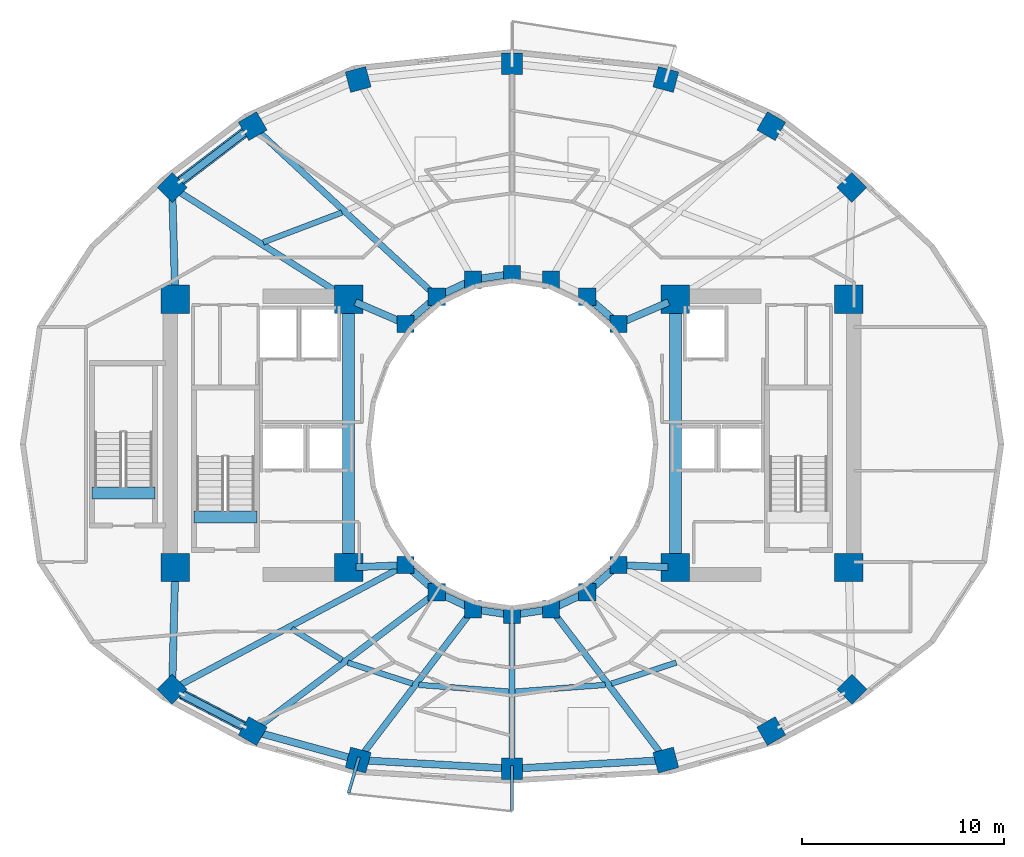
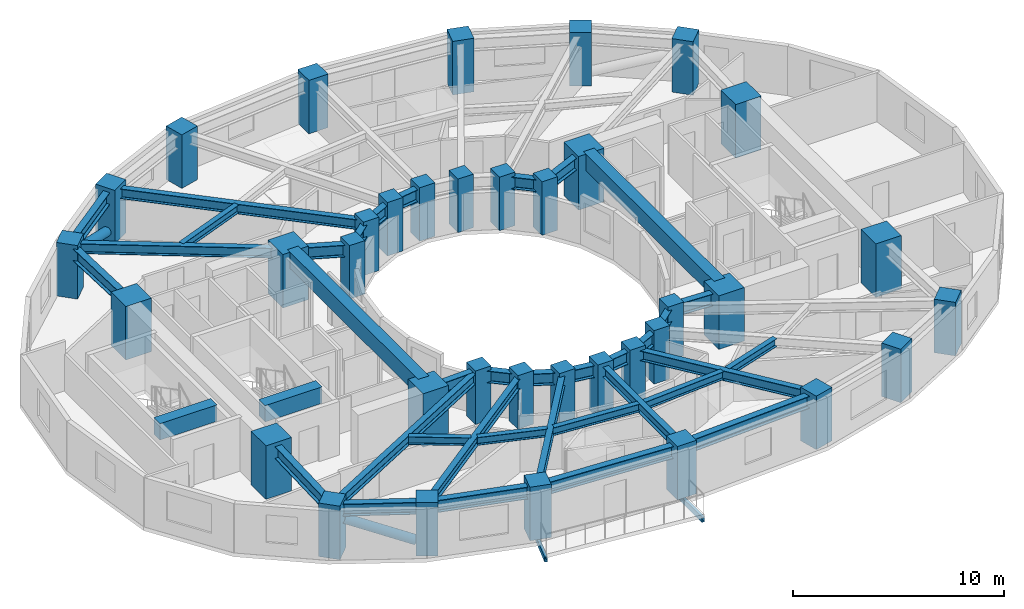
# One storey, part 1 of 9: 40 beams, 36 columns, 2 members.
"""IFC4 building model written with IfcOpenShell, lengths in metres."""

import ifcopenshell
import ifcopenshell.guid

model = None  # the IFC model being written
_history = None  # IfcOwnerHistory: only IFC2X3 demands one
_inside = {}  # id of a spatial element -> (the spatial element, [elements in it])
_under = {}  # id of a project, library or spatial element -> (it, [spatial elements below it])
_declared = {}  # id of a project -> (the project, [libraries it declares])
_typed = {}  # id of a type object -> (the type object, [elements of that type])
_made_of = {}  # id of a material, layer set ... -> (it, [elements and type objects made of it])


def new_model(schema):
    """Start an empty IFC model of exactly this schema.

    Asked for "IFC4X3", IfcOpenShell would pick the latest addendum, in which some entities
    have other attributes; the version numbers below select the first issue.
    IFC2X3 requires an IfcOwnerHistory on every rooted entity: one is made here for all.
    """
    global model, _history
    if schema == "IFC4X3":
        model = ifcopenshell.file(schema_version=(4, 3, 0, 0))
    else:
        model = ifcopenshell.file(schema=schema)
    _inside.clear()
    _under.clear()
    _declared.clear()
    _typed.clear()
    _made_of.clear()
    _history = None
    if model.schema == "IFC2X3":
        org = make("IfcOrganization", Name="unknown")
        user = make(
            "IfcPersonAndOrganization",
            ThePerson=make("IfcPerson", FamilyName="unknown"),
            TheOrganization=org,
        )
        app = make(
            "IfcApplication",
            ApplicationDeveloper=org,
            Version="unknown",
            ApplicationFullName="unknown",
            ApplicationIdentifier="unknown",
        )
        _history = make(
            "IfcOwnerHistory",
            OwningUser=user,
            OwningApplication=app,
            ChangeAction="ADDED",
            CreationDate=0,
        )
    return model


def make(cls, **values):
    """One entity of the class cls with the attributes given. An attribute that is None is left unset."""
    return model.create_entity(
        cls, **{name: value for name, value in values.items() if value is not None}
    )


def rooted(cls, **values):
    """An entity with a GlobalId (a new one), such as an element, a storey or a relation."""
    return make(cls, GlobalId=ifcopenshell.guid.new(), OwnerHistory=_history, **values)


def si_unit(unit_type, name, prefix=None):
    """IfcSIUnit, for example si_unit("LENGTHUNIT", "METRE", prefix="MILLI")."""
    return make("IfcSIUnit", UnitType=unit_type, Prefix=prefix, Name=name)


def assignment(units):
    """IfcUnitAssignment: the units of a project."""
    return None if units is None else make("IfcUnitAssignment", Units=units)


def point(xyz):
    """IfcCartesianPoint."""
    return None if xyz is None else make("IfcCartesianPoint", Coordinates=xyz)


def direction(xyz):
    """IfcDirection."""
    return None if xyz is None else make("IfcDirection", DirectionRatios=xyz)


def frame(location, z_axis=None, x_axis=None):
    """IfcAxis2Placement3D, a coordinate frame: its origin and axes. An axis left out is left unset."""
    return make(
        "IfcAxis2Placement3D",
        Location=point(location),
        Axis=direction(z_axis),
        RefDirection=direction(x_axis),
    )


def frame_2d(location, x_axis=None):
    """IfcAxis2Placement2D, a coordinate frame in the plane: its origin and x axis."""
    return make(
        "IfcAxis2Placement2D", Location=point(location), RefDirection=direction(x_axis)
    )


def origin():
    """The frame at (0, 0, 0) with its axes left unset."""
    return frame((0.0, 0.0, 0.0))


def origin_2d():
    """The frame at (0, 0) in the plane with its x axis left unset."""
    return frame_2d((0.0, 0.0))


def place(relative_to, where):
    """IfcLocalPlacement: puts the frame where relative to a parent placement (None: the world)."""
    return make(
        "IfcLocalPlacement", PlacementRelTo=relative_to, RelativePlacement=where
    )


def context(
    kind, dimensions, precision=None, world=None, true_north=None, identifier=None
):
    """IfcGeometricRepresentationContext, for example the 3D "Model" context."""
    return make(
        "IfcGeometricRepresentationContext",
        ContextIdentifier=identifier,
        ContextType=kind,
        CoordinateSpaceDimension=dimensions,
        Precision=precision,
        WorldCoordinateSystem=world,
        TrueNorth=true_north,
    )


def subcontext(parent, identifier, kind, view, scale=None):
    """IfcGeometricRepresentationSubContext, for example "Body" below "Model"."""
    return make(
        "IfcGeometricRepresentationSubContext",
        ContextIdentifier=identifier,
        ContextType=kind,
        ParentContext=parent,
        TargetScale=scale,
        TargetView=view,
    )


def project(units=None, contexts=None):
    """IfcProject with its units and contexts."""
    return rooted(
        "IfcProject",
        Name="project",
        RepresentationContexts=contexts,
        UnitsInContext=assignment(units),
    )


def spatial(cls, under=None, at=None, **own):
    """A site, building, storey or space (cls), placed at a placement, below another one or the project."""
    s = rooted(cls, ObjectPlacement=at, **own)
    if under is not None:
        _under.setdefault(under.id(), (under, []))[1].append(s)
    return s


def profile(cls, at=None, kind="AREA", **sizes):
    """A parametric profile (cls). Its sizes go by their IFC names, for example OverallWidth=200.0."""
    return make(cls, ProfileType=kind, Position=at, **sizes)


def rectangle(**sizes):
    """IfcRectangleProfileDef."""
    return profile("IfcRectangleProfileDef", **sizes)


def hollow_rectangle(**sizes):
    """IfcRectangleHollowProfileDef."""
    return profile("IfcRectangleHollowProfileDef", **sizes)


def hollow_circle(**sizes):
    """IfcCircleHollowProfileDef."""
    return profile("IfcCircleHollowProfileDef", **sizes)


def i_section(**sizes):
    """IfcIShapeProfileDef."""
    return profile("IfcIShapeProfileDef", **sizes)


def extrude(swept, where, along, depth):
    """IfcExtrudedAreaSolid: the profile swept, set in the frame where, extruded along a direction by depth."""
    return make(
        "IfcExtrudedAreaSolid",
        SweptArea=swept,
        Position=where,
        ExtrudedDirection=direction(along),
        Depth=depth,
    )


def shape(context_of_items, identifier, shape_type, items):
    """IfcShapeRepresentation: the items that make up one representation, for example the "Body"."""
    return make(
        "IfcShapeRepresentation",
        ContextOfItems=context_of_items,
        RepresentationIdentifier=identifier,
        RepresentationType=shape_type,
        Items=items,
    )


def material(Name=None, Category=None):
    """IfcMaterial."""
    return make("IfcMaterial", Name=Name, Category=Category)


def material_profile(
    of_material, cross_section, Name=None, Category=None, Priority=None
):
    """IfcMaterialProfile: a cross section and its material."""
    return make(
        "IfcMaterialProfile",
        Name=Name,
        Material=of_material,
        Profile=cross_section,
        Priority=Priority,
        Category=Category,
    )


def profile_set(profiles, Name=None, composite=None):
    """IfcMaterialProfileSet."""
    return make(
        "IfcMaterialProfileSet",
        Name=Name,
        MaterialProfiles=profiles,
        CompositeProfile=composite,
    )


def made_of(thing, what):
    """Note that an element or type object is made of a material, layer set ...; save() writes the relation."""
    if what is not None:
        _made_of.setdefault(what.id(), (what, []))[1].append(thing)
    return thing


def type_object(cls, material=None, **own):
    """A type object (cls), such as IfcWallType, which elements share."""
    return made_of(rooted(cls, **own), material)


def element(
    cls,
    number,
    at=None,
    inside=None,
    cuts=None,
    type_object=None,
    material=None,
    context=None,
    identifier="Body",
    shape_type=None,
    held_by="IfcProductDefinitionShape",
    body=None,
    shapes=None,
    **own,
):
    """One element of the class cls, such as IfcWall. Its Tag is "e" and its number.

    at: its placement. inside: the storey or other place that contains it. cuts: it is an
    opening in that element (IfcRelVoidsElement). A single representation is given by context,
    identifier, shape_type and body (its items); several are given by shapes. held_by: the class
    of the entity that holds the representations. save() writes the other relations.
    """
    e = rooted(cls, Tag="e%d" % number, ObjectPlacement=at, **own)
    if body is not None:
        shapes = [shape(context, identifier, shape_type, body)]
    if shapes is not None:
        e.Representation = make(held_by, Representations=shapes)
    if inside is not None:
        _inside.setdefault(inside.id(), (inside, []))[1].append(e)
    if cuts is not None:
        rooted(
            "IfcRelVoidsElement", RelatingBuildingElement=cuts, RelatedOpeningElement=e
        )
    if type_object is not None:
        _typed.setdefault(type_object.id(), (type_object, []))[1].append(e)
    return made_of(e, material)


def aggregate(whole, parts):
    """IfcRelAggregates: a whole, such as a stair, and the parts it consists of."""
    return rooted("IfcRelAggregates", RelatingObject=whole, RelatedObjects=parts)


def save(model, path):
    """Write the relations noted so far, then the file.

    IfcRelAggregates (storeys below a building ...), IfcRelContainedInSpatialStructure (elements
    in a storey), IfcRelDefinesByType, IfcRelAssociatesMaterial and IfcRelDeclares: one each for
    every whole, place, type object, material and project.
    """
    for whole, parts in _under.values():
        aggregate(whole, parts)
    for where, things in _inside.values():
        rooted(
            "IfcRelContainedInSpatialStructure",
            RelatedElements=things,
            RelatingStructure=where,
        )
    for kind, things in _typed.values():
        rooted("IfcRelDefinesByType", RelatedObjects=things, RelatingType=kind)
    for what, things in _made_of.values():
        rooted("IfcRelAssociatesMaterial", RelatedObjects=things, RelatingMaterial=what)
    for by, libraries in _declared.values():
        rooted("IfcRelDeclares", RelatingContext=by, RelatedDefinitions=libraries)
    model.write(path)


model = new_model("IFC4")

# Units and contexts
model_context = context("Model", 3, precision=1e-05, world=origin(), true_north=direction((0.0, 1.0)))
body_context = subcontext(model_context, "Body", "Model", "MODEL_VIEW")
ifc_project = project(units=[si_unit("LENGTHUNIT", "METRE"), si_unit("AREAUNIT", "SQUARE_METRE"), si_unit("VOLUMEUNIT", "CUBIC_METRE"), si_unit("PLANEANGLEUNIT", "RADIAN"), si_unit("MASSUNIT", "GRAM", prefix="KILO")], contexts=[model_context])

# Site, building, storey
site_placement = place(None, origin())
site = spatial("IfcSite", under=ifc_project, at=site_placement, CompositionType="ELEMENT")
building_placement = place(site_placement, origin())
building = spatial("IfcBuilding", under=site, at=building_placement, Name="Solvane Sanctuary Tower", CompositionType="ELEMENT")
storey_placement = place(building_placement, frame((0.0, 0.0, 116.60009765625)))
storey = spatial("IfcBuildingStorey", under=building, at=storey_placement, Name="L35", CompositionType="ELEMENT", Elevation=116.60009765625)

# Columns
ifc_material_1 = material(Name="Concrete C70/85", Category="concrete")
ifc_material_profile_1 = material_profile(ifc_material_1, rectangle(XDim=1.39990234375, YDim=1.39990234375, at=origin_2d()), Name="RC1400X1400")
ifc_profile_set_1 = profile_set([ifc_material_profile_1], Name="Concrete C70/85")
column_type_1 = type_object("IfcColumnType", Name="Column C-POD-INT RC1400X1400", PredefinedType="COLUMN", material=ifc_profile_set_1)
for number, where, z_axis, x_axis, name in (
    (1, (15.300048828125, 16.89990234375, 0.0), (0.0, 0.0, 1.0), (1.0, 0.0, 0.0), "L35 Core Corner Column CW1"),
    (2, (23.89990234375, 16.89990234375, 0.0), (0.0, 0.0, 1.0), (1.0, 0.0, 0.0), "L35 Core Corner Column CW2"),
    (3, (23.89990234375, 30.199951171875, 0.0), (0.0, 0.0, 1.0), (1.0, 0.0, 0.0), "L35 Core Corner Column CW3"),
    (4, (15.300048828125, 30.199951171875, 0.0), (0.0, 0.0, 1.0), (1.0, 0.0, 0.0), "L35 Core Corner Column CW4"),
    (5, (40.10009765625, 16.89990234375, 0.0), (0.0, 0.0, 1.0), (1.0, 0.0, 0.0), "L35 Core Corner Column CE1"),
    (6, (48.699951171875, 16.89990234375, 0.0), (0.0, 0.0, 1.0), (1.0, 0.0, 0.0), "L35 Core Corner Column CE2"),
    (7, (48.699951171875, 30.199951171875, 0.0), (0.0, 0.0, 1.0), (1.0, 0.0, 0.0), "L35 Core Corner Column CE3"),
    (8, (40.10009765625, 30.199951171875, 0.0), (0.0, 0.0, 1.0), (1.0, 0.0, 0.0), "L35 Core Corner Column CE4"),
):
    element("IfcColumn", number, at=place(storey_placement, frame(where, z_axis=z_axis, x_axis=x_axis)), inside=storey, type_object=column_type_1, Name=name, PredefinedType="COLUMN", context=body_context, shape_type="SweptSolid", body=[
        extrude(rectangle(XDim=1.39990234375, YDim=1.39990234375, at=origin_2d()), origin(), (0.0, 0.0, 1.0), 3.099853515625),
    ])
ifc_material_2 = material(Name="Concrete C60/75", Category="concrete")
ifc_material_profile_2 = material_profile(ifc_material_2, rectangle(XDim=0.85009765625, YDim=0.85009765625, at=origin_2d()), Name="RC850X850")
ifc_profile_set_2 = profile_set([ifc_material_profile_2], Name="Concrete C60/75")
column_type_2 = type_object("IfcColumnType", Name="Column C-RING-Z2 RC850X850", PredefinedType="COLUMN", material=ifc_profile_set_2)
for number, where, z_axis, x_axis, name in (
    (9, (37.27490234375, 28.982177734375, 0.0), (0.0, 0.0, 1.0), (1.0, 0.0, 0.0), "L35 Inner Light-Well Ring Column IC01"),
    (10, (35.72998046875, 30.32666015625, 0.0), (0.0, 0.0, 1.0), (1.0, 0.0, 0.0), "L35 Inner Light-Well Ring Column IC02"),
    (11, (33.930908203125, 31.171630859375, 0.0), (0.0, 0.0, 1.0), (1.0, 0.0, 0.0), "L35 Inner Light-Well Ring Column IC03"),
    (12, (32.0, 31.4599609375, 0.0), (0.0, 0.0, 1.0), (1.0, 0.0, 0.0), "L35 Inner Light-Well Ring Column IC04"),
    (13, (30.069091796875, 31.171630859375, 0.0), (0.0, 0.0, 1.0), (1.0, 0.0, 0.0), "L35 Inner Light-Well Ring Column IC05"),
    (14, (28.27001953125, 30.32666015625, 0.0), (0.0, 0.0, 1.0), (1.0, 0.0, 0.0), "L35 Inner Light-Well Ring Column IC06"),
    (15, (26.72509765625, 28.982177734375, 0.0), (0.0, 0.0, 1.0), (1.0, 0.0, 0.0), "L35 Inner Light-Well Ring Column IC07"),
    (16, (26.72509765625, 17.017822265625, 0.0), (0.0, 0.0, 1.0), (1.0, 0.0, 0.0), "L35 Inner Light-Well Ring Column IC08"),
    (17, (28.27001953125, 15.67333984375, 0.0), (0.0, 0.0, 1.0), (1.0, 0.0, 0.0), "L35 Inner Light-Well Ring Column IC09"),
    (18, (30.069091796875, 14.828369140625, 0.0), (0.0, 0.0, 1.0), (1.0, 0.0, 0.0), "L35 Inner Light-Well Ring Column IC10"),
    (19, (32.0, 14.5400390625, 0.0), (0.0, 0.0, 1.0), (1.0, 0.0, 0.0), "L35 Inner Light-Well Ring Column IC11"),
    (20, (33.930908203125, 14.828369140625, 0.0), (0.0, 0.0, 1.0), (1.0, 0.0, 0.0), "L35 Inner Light-Well Ring Column IC12"),
    (21, (35.72998046875, 15.67333984375, 0.0), (0.0, 0.0, 1.0), (1.0, 0.0, 0.0), "L35 Inner Light-Well Ring Column IC13"),
    (22, (37.27490234375, 17.017822265625, 0.0), (0.0, 0.0, 1.0), (1.0, 0.0, 0.0), "L35 Inner Light-Well Ring Column IC14"),
):
    element("IfcColumn", number, at=place(storey_placement, frame(where, z_axis=z_axis, x_axis=x_axis)), inside=storey, type_object=column_type_2, Name=name, PredefinedType="COLUMN", context=body_context, shape_type="SweptSolid", body=[
        extrude(rectangle(XDim=0.85009765625, YDim=0.85009765625, at=origin_2d()), origin(), (0.0, 0.0, 1.0), 3.099853515625),
    ])
ifc_material_profile_3 = material_profile(ifc_material_2, rectangle(XDim=1.050048828125, YDim=1.050048828125, at=origin_2d()), Name="RC1050X1050")
ifc_profile_set_3 = profile_set([ifc_material_profile_3], Name="Concrete C60/75")
column_type_3 = type_object("IfcColumnType", Name="Column C-TUBE-Z2 RC1050X1050", PredefinedType="COLUMN", material=ifc_profile_set_3)
for number, where, z_axis, x_axis, name in (
    (23, (48.85302734375, 35.742919921875, 0.0), (0.0, 0.0, 1.0), (0.707106781187, 0.707106781187, 0.0), "L35 Perimeter Tube Column TC01"),
    (24, (44.8583984375, 38.7861328125, 0.0), (0.0, 0.0, 1.0), (0.5, 0.866025403784, 0.0), "L35 Perimeter Tube Column TC02"),
    (25, (39.62939453125, 41.10009765625, 0.0), (0.0, 0.0, 1.0), (0.258819045103, 0.965925826289, 0.0), "L35 Perimeter Tube Column TC03"),
    (26, (32.0, 41.8798828125, 0.0), (0.0, 0.0, 1.0), (0.0, 1.0, 0.0), "L35 Perimeter Tube Column TC04"),
    (27, (24.37060546875, 41.10009765625, 0.0), (0.0, 0.0, 1.0), (-0.258819045103, 0.965925826289, 0.0), "L35 Perimeter Tube Column TC05"),
    (28, (19.1416015625, 38.7861328125, 0.0), (0.0, 0.0, 1.0), (-0.5, 0.866025403784, 0.0), "L35 Perimeter Tube Column TC06"),
    (29, (15.14697265625, 35.742919921875, 0.0), (0.0, 0.0, 1.0), (-0.707106781187, 0.707106781187, 0.0), "L35 Perimeter Tube Column TC07"),
    (30, (15.14697265625, 10.86181640625, 0.0), (0.0, 0.0, 1.0), (-0.707106781187, -0.707106781187, 0.0), "L35 Perimeter Tube Column TC08"),
    (31, (19.1416015625, 8.782470703125, 0.0), (0.0, 0.0, 1.0), (-0.5, -0.866025403784, 0.0), "L35 Perimeter Tube Column TC09"),
    (32, (24.37060546875, 7.347900390625, 0.0), (0.0, 0.0, 1.0), (-0.258819045103, -0.965925826289, 0.0), "L35 Perimeter Tube Column TC10"),
    (33, (32.0, 6.919921875, 0.0), (0.0, 0.0, 1.0), (0.0, -1.0, 0.0), "L35 Perimeter Tube Column TC11"),
    (34, (39.62939453125, 7.347900390625, 0.0), (0.0, 0.0, 1.0), (0.258819045103, -0.965925826289, 0.0), "L35 Perimeter Tube Column TC12"),
    (35, (44.8583984375, 8.782470703125, 0.0), (0.0, 0.0, 1.0), (0.5, -0.866025403784, 0.0), "L35 Perimeter Tube Column TC13"),
    (36, (48.85302734375, 10.86181640625, 0.0), (0.0, 0.0, 1.0), (0.707106781187, -0.707106781187, 0.0), "L35 Perimeter Tube Column TC14"),
):
    element("IfcColumn", number, at=place(storey_placement, frame(where, z_axis=z_axis, x_axis=x_axis)), inside=storey, type_object=column_type_3, Name=name, PredefinedType="COLUMN", context=body_context, shape_type="SweptSolid", body=[
        extrude(rectangle(XDim=1.050048828125, YDim=1.050048828125, at=origin_2d()), origin(), (0.0, 0.0, 1.0), 3.099853515625),
    ])

# Beams
ifc_material_3 = material(Name="Steel ASTM A500 Grade C", Category="steel")
ifc_material_profile_4 = material_profile(ifc_material_3, hollow_rectangle(XDim=0.14990234375, YDim=0.300048828125, WallThickness=0.010009765625, at=origin_2d()), Name="HSS300X150X10")
ifc_profile_set_4 = profile_set([ifc_material_profile_4], Name="Steel ASTM A500 Grade C")
beam_type_1 = type_object("IfcBeamType", Name="Beam B-BALC-BRK HSS300X150X10", PredefinedType="BEAM", material=ifc_profile_set_4)
beam_1_placement = place(storey_placement, frame((24.4130859375, 7.49169921875, -0.3720703125), z_axis=(-0.282517844472, -0.959262043216, 0.0), x_axis=(0.959262043216, -0.282517844472, 0.0)))
element("IfcBeam", 37, at=beam_1_placement, inside=storey, type_object=beam_type_1, Name="L35 Balcony Bracket SC-1", PredefinedType="BEAM", context=body_context, shape_type="SweptSolid", body=[
    extrude(hollow_rectangle(XDim=0.14990234375, YDim=0.300048828125, WallThickness=0.010009765625, at=origin_2d()), origin(), (0.0, 0.0, 1.0), 1.84228515625),
])
beam_2_placement = place(storey_placement, frame((32.0, 7.070068359375, -0.3720703125), z_axis=(0.0, -1.0, 0.0), x_axis=(1.0, 0.0, 0.0)))
element("IfcBeam", 38, at=beam_2_placement, inside=storey, type_object=beam_type_1, Name="L35 Balcony Bracket SC-2", PredefinedType="BEAM", context=body_context, shape_type="SweptSolid", body=[
    extrude(hollow_rectangle(XDim=0.14990234375, YDim=0.300048828125, WallThickness=0.010009765625, at=origin_2d()), origin(), (0.0, 0.0, 1.0), 2.219970703125),
])
ifc_material_profile_5 = material_profile(ifc_material_1, rectangle(XDim=0.60009765625, YDim=0.949951171875, at=origin_2d()), Name="RC600X950")
ifc_profile_set_5 = profile_set([ifc_material_profile_5], Name="Concrete C70/85")
beam_type_2 = type_object("IfcBeamType", Name="Beam B-COUPLE RC600X950", PredefinedType="LINTEL", material=ifc_profile_set_5)
for number, where, z_axis, x_axis, name in (
    (39, (23.89990234375, 17.35009765625, 2.625), (0.0, 1.0, 0.0), (-1.0, 0.0, 0.0), "L35 West Core Coupling Lintel"),
    (40, (40.10009765625, 17.35009765625, 2.625), (0.0, 1.0, 0.0), (-1.0, 0.0, 0.0), "L35 East Core Coupling Lintel"),
):
    element("IfcBeam", number, at=place(storey_placement, frame(where, z_axis=z_axis, x_axis=x_axis)), inside=storey, type_object=beam_type_2, Name=name, PredefinedType="LINTEL", context=body_context, shape_type="SweptSolid", body=[
        extrude(rectangle(XDim=0.60009765625, YDim=0.949951171875, at=origin_2d()), origin(), (0.0, 0.0, 1.0), 12.39990234375),
    ])
for number, where, z_axis, x_axis, name in (
    (41, (16.22998046875, 19.399169921875, 2.625), (1.0, 0.0, 0.0), (0.0, 1.0, 0.0), "L35 ST-1 Stair Floor Landing Trimmer"),
    (42, (11.169921875, 20.59912109375, 2.625), (1.0, 0.0, 0.0), (0.0, 1.0, 0.0), "L35 ST-3 Stair Floor Landing Trimmer"),
):
    element("IfcBeam", number, at=place(storey_placement, frame(where, z_axis=z_axis, x_axis=x_axis)), inside=storey, type_object=beam_type_2, Name=name, PredefinedType="LINTEL", context=body_context, shape_type="SweptSolid", body=[
        extrude(rectangle(XDim=0.60009765625, YDim=0.949951171875, at=origin_2d()), origin(), (0.0, 0.0, 1.0), 3.1201171875),
    ])
ifc_material_4 = material(Name="Steel ASTM A992 Grade 50", Category="steel")
ifc_material_profile_6 = material_profile(ifc_material_4, i_section(OverallWidth=0.31494140625, OverallDepth=0.575927734375, WebThickness=0.01513671875, FlangeThickness=0.0244140625, FilletRadius=0.014892578125, at=origin_2d()), Name="W21X122")
ifc_profile_set_6 = profile_set([ifc_material_profile_6], Name="Steel ASTM A992 Grade 50")
beam_type_3 = type_object("IfcBeamType", Name="Beam B-RAD-Z2 W21X122", PredefinedType="BEAM", material=ifc_profile_set_6)
beam_3_placement = place(storey_placement, frame((28.064697265625, 30.516845703125, 2.58984375), z_axis=(-0.733453775248, 0.679739332078, 0.0), x_axis=(-0.679739332078, -0.733453775248, 0.0)))
element("IfcBeam", 43, at=beam_3_placement, inside=storey, type_object=beam_type_3, Name="L35 Radial Composite Floor Beam 06", PredefinedType="BEAM", context=body_context, shape_type="SweptSolid", body=[
    extrude(i_section(OverallWidth=0.31494140625, OverallDepth=0.575927734375, WebThickness=0.01513671875, FlangeThickness=0.0244140625, FilletRadius=0.014892578125, at=origin_2d()), origin(), (0.0, 0.0, 1.0), 11.885498046875),
])
beam_4_placement = place(storey_placement, frame((23.595947265625, 30.392578125, 2.58984375), z_axis=(-0.844853889678, 0.534997107558, 0.0), x_axis=(-0.534997107558, -0.844853889678, 0.0)))
element("IfcBeam", 44, at=beam_4_placement, inside=storey, type_object=beam_type_3, Name="L35 Radial Composite Floor Beam 07", PredefinedType="BEAM", context=body_context, shape_type="SweptSolid", body=[
    extrude(i_section(OverallWidth=0.31494140625, OverallDepth=0.575927734375, WebThickness=0.01513671875, FlangeThickness=0.0244140625, FilletRadius=0.014892578125, at=origin_2d()), origin(), (0.0, 0.0, 1.0), 9.720458984375),
])
beam_5_placement = place(storey_placement, frame((26.477783203125, 16.886474609375, 2.58984375), z_axis=(-0.882951984843, -0.469463302572, 0.0), x_axis=(0.469463302572, -0.882951984843, 0.0)))
element("IfcBeam", 45, at=beam_5_placement, inside=storey, type_object=beam_type_3, Name="L35 Radial Composite Floor Beam 08", PredefinedType="BEAM", context=body_context, shape_type="SweptSolid", body=[
    extrude(i_section(OverallWidth=0.31494140625, OverallDepth=0.575927734375, WebThickness=0.01513671875, FlangeThickness=0.0244140625, FilletRadius=0.014892578125, at=origin_2d()), origin(), (0.0, 0.0, 1.0), 12.552734375),
])
beam_6_placement = place(storey_placement, frame((28.04638671875, 15.504638671875, 2.58984375), z_axis=(-0.798116040134, -0.602503764703, 0.0), x_axis=(0.602503764703, -0.798116040134, 0.0)))
element("IfcBeam", 46, at=beam_6_placement, inside=storey, type_object=beam_type_3, Name="L35 Radial Composite Floor Beam 09", PredefinedType="BEAM", context=body_context, shape_type="SweptSolid", body=[
    extrude(i_section(OverallWidth=0.31494140625, OverallDepth=0.575927734375, WebThickness=0.01513671875, FlangeThickness=0.0244140625, FilletRadius=0.014892578125, at=origin_2d()), origin(), (0.0, 0.0, 1.0), 10.876953125),
])
beam_7_placement = place(storey_placement, frame((29.8994140625, 14.605712890625, 2.58984375), z_axis=(-0.605972515369, -0.795485581653, 0.0), x_axis=(0.795485581653, -0.605972515369, 0.0)))
element("IfcBeam", 47, at=beam_7_placement, inside=storey, type_object=beam_type_3, Name="L35 Radial Composite Floor Beam 10", PredefinedType="BEAM", context=body_context, shape_type="SweptSolid", body=[
    extrude(i_section(OverallWidth=0.31494140625, OverallDepth=0.575927734375, WebThickness=0.01513671875, FlangeThickness=0.0244140625, FilletRadius=0.014892578125, at=origin_2d()), origin(), (0.0, 0.0, 1.0), 8.84375),
])
beam_8_placement = place(storey_placement, frame((32.0, 14.260009765625, 2.58984375), z_axis=(0.0, -1.0, 0.0), x_axis=(1.0, 0.0, 0.0)))
element("IfcBeam", 48, at=beam_8_placement, inside=storey, type_object=beam_type_3, Name="L35 Radial Composite Floor Beam 11", PredefinedType="BEAM", context=body_context, shape_type="SweptSolid", body=[
    extrude(i_section(OverallWidth=0.31494140625, OverallDepth=0.575927734375, WebThickness=0.01513671875, FlangeThickness=0.0244140625, FilletRadius=0.014892578125, at=origin_2d()), origin(), (0.0, 0.0, 1.0), 7.06005859375),
])
beam_9_placement = place(storey_placement, frame((34.1005859375, 14.605712890625, 2.58984375), z_axis=(0.605972515369, -0.795485581653, 0.0), x_axis=(0.795485581653, 0.605972515369, 0.0)))
element("IfcBeam", 49, at=beam_9_placement, inside=storey, type_object=beam_type_3, Name="L35 Radial Composite Floor Beam 12", PredefinedType="BEAM", context=body_context, shape_type="SweptSolid", body=[
    extrude(i_section(OverallWidth=0.31494140625, OverallDepth=0.575927734375, WebThickness=0.01513671875, FlangeThickness=0.0244140625, FilletRadius=0.014892578125, at=origin_2d()), origin(), (0.0, 0.0, 1.0), 8.84375),
])
ifc_material_profile_7 = material_profile(ifc_material_4, i_section(OverallWidth=0.35498046875, OverallDepth=0.695068359375, WebThickness=0.015380859375, FlangeThickness=0.02490234375, FilletRadius=0.01806640625, at=origin_2d()), Name="W27X146")
ifc_profile_set_7 = profile_set([ifc_material_profile_7], Name="Steel ASTM A992 Grade 50")
beam_type_4 = type_object("IfcBeamType", Name="Beam B-RING-IN1 W27X146", PredefinedType="BEAM", material=ifc_profile_set_7)
beam_10_placement = place(storey_placement, frame((24.230712890625, 30.0576171875, 2.530517578125), z_axis=(0.918261456479, -0.3959746173, 0.0), x_axis=(0.3959746173, 0.918261456479, 0.0)))
element("IfcBeam", 50, at=beam_10_placement, inside=storey, type_object=beam_type_4, Name="L35 Inner Light-Well Ring Beam CW3-IC07", PredefinedType="BEAM", context=body_context, shape_type="SweptSolid", body=[
    extrude(i_section(OverallWidth=0.35498046875, OverallDepth=0.695068359375, WebThickness=0.015380859375, FlangeThickness=0.02490234375, FilletRadius=0.01806640625, at=origin_2d()), origin(), (0.0, 0.0, 1.0), 2.3212890625),
])
beam_11_placement = place(storey_placement, frame((27.02294921875, 29.241455078125, 2.530517578125), z_axis=(0.754317177099, 0.656510164684, 0.0), x_axis=(-0.656510164684, 0.754317177099, 0.0)))
element("IfcBeam", 51, at=beam_11_placement, inside=storey, type_object=beam_type_4, Name="L35 Inner Light-Well Ring Beam IC07-IC06", PredefinedType="BEAM", context=body_context, shape_type="SweptSolid", body=[
    extrude(i_section(OverallWidth=0.35498046875, OverallDepth=0.695068359375, WebThickness=0.015380859375, FlangeThickness=0.02490234375, FilletRadius=0.01806640625, at=origin_2d()), origin(), (0.0, 0.0, 1.0), 1.258056640625),
])
beam_12_placement = place(storey_placement, frame((28.62744140625, 30.494384765625, 2.530517578125), z_axis=(0.905044882818, 0.425316070804, 0.0), x_axis=(-0.425316070804, 0.905044882818, 0.0)))
element("IfcBeam", 52, at=beam_12_placement, inside=storey, type_object=beam_type_4, Name="L35 Inner Light-Well Ring Beam IC06-IC05", PredefinedType="BEAM", context=body_context, shape_type="SweptSolid", body=[
    extrude(i_section(OverallWidth=0.35498046875, OverallDepth=0.695068359375, WebThickness=0.015380859375, FlangeThickness=0.02490234375, FilletRadius=0.01806640625, at=origin_2d()), origin(), (0.0, 0.0, 1.0), 1.197998046875),
])
beam_13_placement = place(storey_placement, frame((30.4599609375, 31.22998046875, 2.530517578125), z_axis=(0.989034751611, 0.147682971619, 0.0), x_axis=(-0.147682971619, 0.989034751611, 0.0)))
element("IfcBeam", 53, at=beam_13_placement, inside=storey, type_object=beam_type_4, Name="L35 Inner Light-Well Ring Beam IC05-IC04", PredefinedType="BEAM", context=body_context, shape_type="SweptSolid", body=[
    extrude(i_section(OverallWidth=0.35498046875, OverallDepth=0.695068359375, WebThickness=0.015380859375, FlangeThickness=0.02490234375, FilletRadius=0.01806640625, at=origin_2d()), origin(), (0.0, 0.0, 1.0), 1.162109375),
])
beam_14_placement = place(storey_placement, frame((36.028076171875, 30.0673828125, 2.530517578125), z_axis=(0.754317177099, -0.656510164684, 0.0), x_axis=(0.656510164684, 0.754317177099, 0.0)))
element("IfcBeam", 54, at=beam_14_placement, inside=storey, type_object=beam_type_4, Name="L35 Inner Light-Well Ring Beam IC02-IC01", PredefinedType="BEAM", context=body_context, shape_type="SweptSolid", body=[
    extrude(i_section(OverallWidth=0.35498046875, OverallDepth=0.695068359375, WebThickness=0.015380859375, FlangeThickness=0.02490234375, FilletRadius=0.01806640625, at=origin_2d()), origin(), (0.0, 0.0, 1.0), 1.258056640625),
])
beam_15_placement = place(storey_placement, frame((37.6376953125, 29.138427734375, 2.530517578125), z_axis=(0.918261456479, 0.3959746173, 0.0), x_axis=(-0.3959746173, 0.918261456479, 0.0)))
element("IfcBeam", 55, at=beam_15_placement, inside=storey, type_object=beam_type_4, Name="L35 Inner Light-Well Ring Beam IC01-CE4", PredefinedType="BEAM", context=body_context, shape_type="SweptSolid", body=[
    extrude(i_section(OverallWidth=0.35498046875, OverallDepth=0.695068359375, WebThickness=0.015380859375, FlangeThickness=0.02490234375, FilletRadius=0.01806640625, at=origin_2d()), origin(), (0.0, 0.0, 1.0), 2.3212890625),
])
beam_16_placement = place(storey_placement, frame((24.259765625, 16.9150390625, 2.530517578125), z_axis=(0.999130007788, 0.041704047018, 0.0), x_axis=(-0.041704047018, 0.999130007788, 0.0)))
element("IfcBeam", 56, at=beam_16_placement, inside=storey, type_object=beam_type_4, Name="L35 Inner Light-Well Ring Beam CW2-IC08", PredefinedType="BEAM", context=body_context, shape_type="SweptSolid", body=[
    extrude(i_section(OverallWidth=0.35498046875, OverallDepth=0.695068359375, WebThickness=0.015380859375, FlangeThickness=0.02490234375, FilletRadius=0.01806640625, at=origin_2d()), origin(), (0.0, 0.0, 1.0), 2.072265625),
])
beam_17_placement = place(storey_placement, frame((27.02294921875, 16.758544921875, 2.530517578125), z_axis=(0.754317177099, -0.656510164684, 0.0), x_axis=(0.656510164684, 0.754317177099, 0.0)))
element("IfcBeam", 57, at=beam_17_placement, inside=storey, type_object=beam_type_4, Name="L35 Inner Light-Well Ring Beam IC08-IC09", PredefinedType="BEAM", context=body_context, shape_type="SweptSolid", body=[
    extrude(i_section(OverallWidth=0.35498046875, OverallDepth=0.695068359375, WebThickness=0.015380859375, FlangeThickness=0.02490234375, FilletRadius=0.01806640625, at=origin_2d()), origin(), (0.0, 0.0, 1.0), 1.258056640625),
])
beam_18_placement = place(storey_placement, frame((28.62744140625, 15.505615234375, 2.530517578125), z_axis=(0.905044882818, -0.425316070804, 0.0), x_axis=(0.425316070804, 0.905044882818, 0.0)))
element("IfcBeam", 58, at=beam_18_placement, inside=storey, type_object=beam_type_4, Name="L35 Inner Light-Well Ring Beam IC09-IC10", PredefinedType="BEAM", context=body_context, shape_type="SweptSolid", body=[
    extrude(i_section(OverallWidth=0.35498046875, OverallDepth=0.695068359375, WebThickness=0.015380859375, FlangeThickness=0.02490234375, FilletRadius=0.01806640625, at=origin_2d()), origin(), (0.0, 0.0, 1.0), 1.197998046875),
])
for number, where, z_axis, x_axis, name in (
    (59, (30.4599609375, 14.77001953125, 2.530517578125), (0.989034751611, -0.147682971619, 0.0), (0.147682971619, 0.989034751611, 0.0), "L35 Inner Light-Well Ring Beam IC10-IC11"),
    (60, (32.390625, 14.598388671875, 2.530517578125), (0.989034751611, 0.147682971619, 0.0), (-0.147682971619, 0.989034751611, 0.0), "L35 Inner Light-Well Ring Beam IC11-IC12"),
):
    element("IfcBeam", number, at=place(storey_placement, frame(where, z_axis=z_axis, x_axis=x_axis)), inside=storey, type_object=beam_type_4, Name=name, PredefinedType="BEAM", context=body_context, shape_type="SweptSolid", body=[
        extrude(i_section(OverallWidth=0.35498046875, OverallDepth=0.695068359375, WebThickness=0.015380859375, FlangeThickness=0.02490234375, FilletRadius=0.01806640625, at=origin_2d()), origin(), (0.0, 0.0, 1.0), 1.162109375),
    ])
beam_19_placement = place(storey_placement, frame((34.288330078125, 14.99609375, 2.530517578125), z_axis=(0.905044882818, 0.425316070804, 0.0), x_axis=(-0.425316070804, 0.905044882818, 0.0)))
element("IfcBeam", 61, at=beam_19_placement, inside=storey, type_object=beam_type_4, Name="L35 Inner Light-Well Ring Beam IC12-IC13", PredefinedType="BEAM", context=body_context, shape_type="SweptSolid", body=[
    extrude(i_section(OverallWidth=0.35498046875, OverallDepth=0.695068359375, WebThickness=0.015380859375, FlangeThickness=0.02490234375, FilletRadius=0.01806640625, at=origin_2d()), origin(), (0.0, 0.0, 1.0), 1.197998046875),
])
beam_20_placement = place(storey_placement, frame((36.028076171875, 15.9326171875, 2.530517578125), z_axis=(0.754317177099, 0.656510164684, 0.0), x_axis=(-0.656510164684, 0.754317177099, 0.0)))
element("IfcBeam", 62, at=beam_20_placement, inside=storey, type_object=beam_type_4, Name="L35 Inner Light-Well Ring Beam IC13-IC14", PredefinedType="BEAM", context=body_context, shape_type="SweptSolid", body=[
    extrude(i_section(OverallWidth=0.35498046875, OverallDepth=0.695068359375, WebThickness=0.015380859375, FlangeThickness=0.02490234375, FilletRadius=0.01806640625, at=origin_2d()), origin(), (0.0, 0.0, 1.0), 1.258056640625),
])
beam_21_placement = place(storey_placement, frame((37.669677734375, 17.00146484375, 2.530517578125), z_axis=(0.999130007788, -0.041704047018, 0.0), x_axis=(0.041704047018, 0.999130007788, 0.0)))
element("IfcBeam", 63, at=beam_21_placement, inside=storey, type_object=beam_type_4, Name="L35 Inner Light-Well Ring Beam IC14-CE1", PredefinedType="BEAM", context=body_context, shape_type="SweptSolid", body=[
    extrude(i_section(OverallWidth=0.35498046875, OverallDepth=0.695068359375, WebThickness=0.015380859375, FlangeThickness=0.02490234375, FilletRadius=0.01806640625, at=origin_2d()), origin(), (0.0, 0.0, 1.0), 2.072265625),
])
ifc_material_profile_8 = material_profile(ifc_material_4, i_section(OverallWidth=0.280029296875, OverallDepth=0.462890625, WebThickness=0.0107421875, FlangeThickness=0.017333984375, FilletRadius=0.013916015625, at=origin_2d()), Name="W18X76")
ifc_profile_set_8 = profile_set([ifc_material_profile_8], Name="Steel ASTM A992 Grade 50")
beam_type_5 = type_object("IfcBeamType", Name="Beam B-SEC-JOIST W18X76", PredefinedType="JOIST", material=ifc_profile_set_8)
beam_22_placement = place(storey_placement, frame((19.666015625, 33.025390625, 2.646484375), z_axis=(0.93509327646, 0.354401699091, 0.0), x_axis=(-0.354401699091, 0.93509327646, 0.0)))
element("IfcBeam", 64, at=beam_22_placement, inside=storey, type_object=beam_type_5, Name="L35 Secondary Circumferential Joist 07-06", PredefinedType="JOIST", context=body_context, shape_type="SweptSolid", body=[
    extrude(i_section(OverallWidth=0.280029296875, OverallDepth=0.462890625, WebThickness=0.0107421875, FlangeThickness=0.017333984375, FilletRadius=0.013916015625, at=origin_2d()), origin(), (0.0, 0.0, 1.0), 4.167724609375),
])
beam_23_placement = place(storey_placement, frame((21.065673828125, 13.859619140625, 2.646484375), z_axis=(0.85065981691, -0.525716535687, 0.0), x_axis=(0.525716535687, 0.85065981691, 0.0)))
element("IfcBeam", 65, at=beam_23_placement, inside=storey, type_object=beam_type_5, Name="L35 Secondary Circumferential Joist 08-09", PredefinedType="JOIST", context=body_context, shape_type="SweptSolid", body=[
    extrude(i_section(OverallWidth=0.280029296875, OverallDepth=0.462890625, WebThickness=0.0107421875, FlangeThickness=0.017333984375, FilletRadius=0.013916015625, at=origin_2d()), origin(), (0.0, 0.0, 1.0), 2.951171875),
])
beam_24_placement = place(storey_placement, frame((23.850830078125, 12.180908203125, 2.646484375), z_axis=(0.951216534175, -0.308524075416, 0.0), x_axis=(0.308524075416, 0.951216534175, 0.0)))
element("IfcBeam", 66, at=beam_24_placement, inside=storey, type_object=beam_type_5, Name="L35 Secondary Circumferential Joist 09-10", PredefinedType="JOIST", context=body_context, shape_type="SweptSolid", body=[
    extrude(i_section(OverallWidth=0.280029296875, OverallDepth=0.462890625, WebThickness=0.0107421875, FlangeThickness=0.017333984375, FilletRadius=0.013916015625, at=origin_2d()), origin(), (0.0, 0.0, 1.0), 3.38916015625),
])
for number, where, z_axis, x_axis, name in (
    (67, (27.3720703125, 11.07666015625, 2.646484375), (0.997207316227, -0.074683120339, 0.0), (0.074683120339, 0.997207316227, 0.0), "L35 Secondary Circumferential Joist 10-11"),
    (68, (32.152099609375, 10.741455078125, 2.646484375), (0.997207316227, 0.074683120339, 0.0), (-0.074683120339, 0.997207316227, 0.0), "L35 Secondary Circumferential Joist 11-12"),
):
    element("IfcBeam", number, at=place(storey_placement, frame(where, z_axis=z_axis, x_axis=x_axis)), inside=storey, type_object=beam_type_5, Name=name, PredefinedType="JOIST", context=body_context, shape_type="SweptSolid", body=[
        extrude(i_section(OverallWidth=0.280029296875, OverallDepth=0.462890625, WebThickness=0.0107421875, FlangeThickness=0.017333984375, FilletRadius=0.013916015625, at=origin_2d()), origin(), (0.0, 0.0, 1.0), 4.48828125),
    ])
beam_25_placement = place(storey_placement, frame((36.92529296875, 11.13525390625, 2.646484375), z_axis=(0.951216534175, 0.308524075416, 0.0), x_axis=(-0.308524075416, 0.951216534175, 0.0)))
element("IfcBeam", 69, at=beam_25_placement, inside=storey, type_object=beam_type_5, Name="L35 Secondary Circumferential Joist 12-13", PredefinedType="JOIST", context=body_context, shape_type="SweptSolid", body=[
    extrude(i_section(OverallWidth=0.280029296875, OverallDepth=0.462890625, WebThickness=0.0107421875, FlangeThickness=0.017333984375, FilletRadius=0.013916015625, at=origin_2d()), origin(), (0.0, 0.0, 1.0), 3.38916015625),
])
ifc_material_profile_9 = material_profile(ifc_material_4, i_section(OverallWidth=0.35791015625, OverallDepth=0.7060546875, WebThickness=0.018310546875, FlangeThickness=0.0302734375, FilletRadius=0.01806640625, at=origin_2d()), Name="W27X178")
ifc_profile_set_9 = profile_set([ifc_material_profile_9], Name="Steel ASTM A992 Grade 50")
beam_type_6 = type_object("IfcBeamType", Name="Beam B-SPAND-Z2 W27X178", PredefinedType="SPANDREL", material=ifc_profile_set_9)
beam_26_placement = place(storey_placement, frame((15.292236328125, 30.47998046875, 2.52490234375), z_axis=(-0.027574028772, 0.999619764179, 0.0), x_axis=(-0.999619764179, -0.027574028772, 0.0)))
element("IfcBeam", 70, at=beam_26_placement, inside=storey, type_object=beam_type_6, Name="L35 Perimeter Spandrel Beam CW4-TC07", PredefinedType="SPANDREL", context=body_context, shape_type="SweptSolid", body=[
    extrude(i_section(OverallWidth=0.35791015625, OverallDepth=0.7060546875, WebThickness=0.018310546875, FlangeThickness=0.0302734375, FilletRadius=0.01806640625, at=origin_2d()), origin(), (0.0, 0.0, 1.0), 4.98486328125),
])
beam_27_placement = place(storey_placement, frame((15.36962890625, 35.91259765625, 2.52490234375), z_axis=(0.795473167932, 0.605988811036, 0.0), x_axis=(-0.605988811036, 0.795473167932, 0.0)))
element("IfcBeam", 71, at=beam_27_placement, inside=storey, type_object=beam_type_6, Name="L35 Perimeter Spandrel Beam TC07-TC06", PredefinedType="SPANDREL", context=body_context, shape_type="SweptSolid", body=[
    extrude(i_section(OverallWidth=0.35791015625, OverallDepth=0.7060546875, WebThickness=0.018310546875, FlangeThickness=0.0302734375, FilletRadius=0.01806640625, at=origin_2d()), origin(), (0.0, 0.0, 1.0), 4.4619140625),
])
beam_28_placement = place(storey_placement, frame((15.29296875, 16.6201171875, 2.52490234375), z_axis=(-0.025349487585, -0.999678650107, 0.0), x_axis=(0.999678650107, -0.025349487585, 0.0)))
element("IfcBeam", 72, at=beam_28_placement, inside=storey, type_object=beam_type_6, Name="L35 Perimeter Spandrel Beam CW1-TC08", PredefinedType="SPANDREL", context=body_context, shape_type="SweptSolid", body=[
    extrude(i_section(OverallWidth=0.35791015625, OverallDepth=0.7060546875, WebThickness=0.018310546875, FlangeThickness=0.0302734375, FilletRadius=0.01806640625, at=origin_2d()), origin(), (0.0, 0.0, 1.0), 5.47998046875),
])
beam_29_placement = place(storey_placement, frame((15.3955078125, 10.732666015625, 2.52490234375), z_axis=(0.887014995188, -0.461740618002, 0.0), x_axis=(0.461740618002, 0.887014995188, 0.0)))
element("IfcBeam", 73, at=beam_29_placement, inside=storey, type_object=beam_type_6, Name="L35 Perimeter Spandrel Beam TC08-TC09", PredefinedType="SPANDREL", context=body_context, shape_type="SweptSolid", body=[
    extrude(i_section(OverallWidth=0.35791015625, OverallDepth=0.7060546875, WebThickness=0.018310546875, FlangeThickness=0.0302734375, FilletRadius=0.01806640625, at=origin_2d()), origin(), (0.0, 0.0, 1.0), 3.943359375),
])
beam_30_placement = place(storey_placement, frame((19.41162109375, 8.70849609375, 2.52490234375), z_axis=(0.964367605241, -0.26456591232, 0.0), x_axis=(0.26456591232, 0.964367605241, 0.0)))
element("IfcBeam", 74, at=beam_30_placement, inside=storey, type_object=beam_type_6, Name="L35 Perimeter Spandrel Beam TC09-TC10", PredefinedType="SPANDREL", context=body_context, shape_type="SweptSolid", body=[
    extrude(i_section(OverallWidth=0.35791015625, OverallDepth=0.7060546875, WebThickness=0.018310546875, FlangeThickness=0.0302734375, FilletRadius=0.01806640625, at=origin_2d()), origin(), (0.0, 0.0, 1.0), 4.8623046875),
])
for number, where, z_axis, x_axis, name in (
    (75, (24.650146484375, 7.332275390625, 2.52490234375), (0.998431364179, -0.055989383129, 0.0), (0.055989383129, 0.998431364179, 0.0), "L35 Perimeter Spandrel Beam TC10-TC11"),
    (76, (32.279541015625, 6.935791015625, 2.52490234375), (0.998431364179, 0.055989383129, 0.0), (-0.055989383129, 0.998431364179, 0.0), "L35 Perimeter Spandrel Beam TC11-TC12"),
):
    element("IfcBeam", number, at=place(storey_placement, frame(where, z_axis=z_axis, x_axis=x_axis)), inside=storey, type_object=beam_type_6, Name=name, PredefinedType="SPANDREL", context=body_context, shape_type="SweptSolid", body=[
        extrude(i_section(OverallWidth=0.35791015625, OverallDepth=0.7060546875, WebThickness=0.018310546875, FlangeThickness=0.0302734375, FilletRadius=0.01806640625, at=origin_2d()), origin(), (0.0, 0.0, 1.0), 7.081298828125),
    ])

# Members
ifc_material_profile_10 = material_profile(ifc_material_4, hollow_circle(Radius=0.25390625, WallThickness=0.01611328125, at=origin_2d()), Name="CHS508X16")
ifc_profile_set_10 = profile_set([ifc_material_profile_10], Name="Steel ASTM A992 Grade 50")
member_type = type_object("IfcMemberType", Name="Member M-TUBE-Z2 CHS508X16", PredefinedType="BRACE", material=ifc_profile_set_10)
member_1_placement = place(storey_placement, frame((18.713134765625, 38.459716796875, 0.572021484375), z_axis=(-0.749170118041, -0.570768517947, 0.336106282529), x_axis=(0.606024564443, -0.795445929836, 0.0)))
element("IfcMember", 77, at=member_1_placement, inside=storey, type_object=member_type, Name="L35 Perimeter Braced-Tube Diagonal NW", PredefinedType="BRACE", context=body_context, shape_type="SweptSolid", body=[
    extrude(hollow_circle(Radius=0.25390625, WallThickness=0.01611328125, at=origin_2d()), origin(), (0.0, 0.0, 1.0), 4.1875),
])
member_2_placement = place(storey_placement, frame((18.667236328125, 9.029296875, 0.5927734375), z_axis=(-0.824140553465, 0.429072126665, 0.369715374651), x_axis=(-0.461792399626, -0.886988038052, 0.0)))
element("IfcMember", 78, at=member_2_placement, inside=storey, type_object=member_type, Name="L35 Perimeter Braced-Tube Diagonal SW", PredefinedType="BRACE", context=body_context, shape_type="SweptSolid", body=[
    extrude(hollow_circle(Radius=0.25390625, WallThickness=0.01611328125, at=origin_2d()), origin(), (0.0, 0.0, 1.0), 3.6689453125),
])

save(model, "model.ifc")
